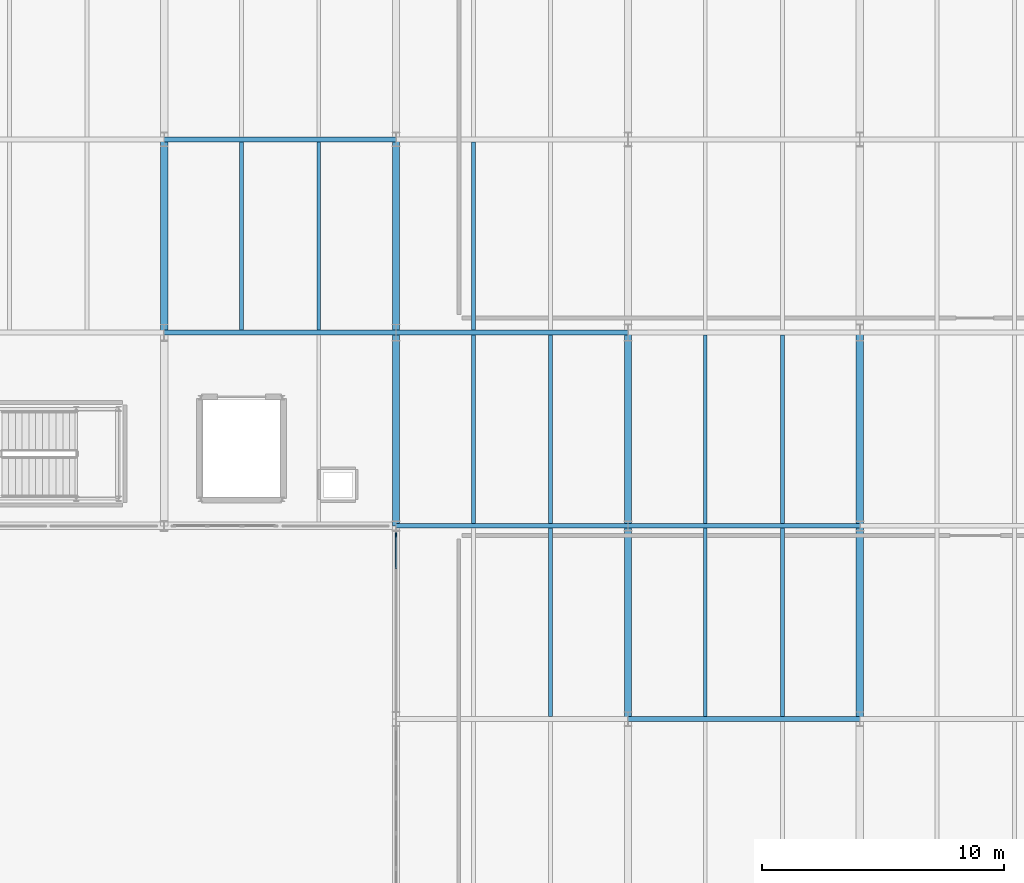
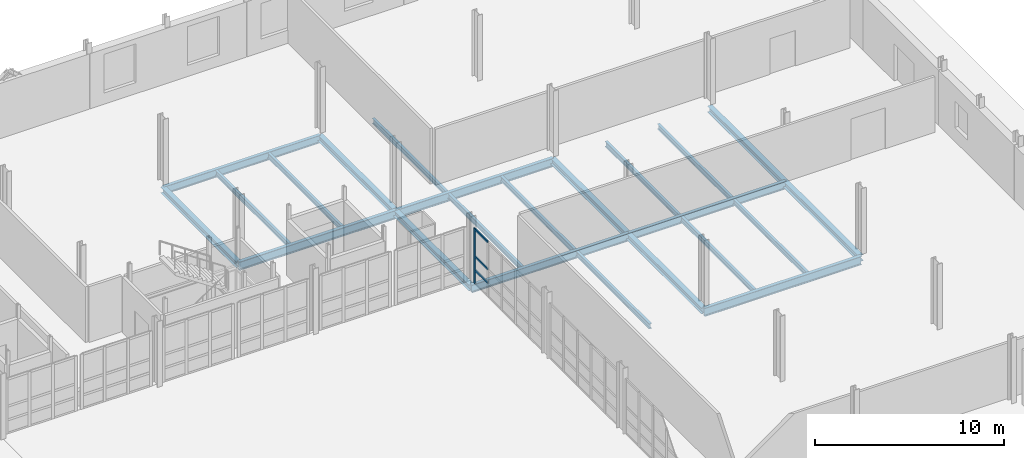
# One storey, part 46 of 78: 23 beams, 4 members, 1 element without a shape of its own.
"""IFC4 building model written with IfcOpenShell, lengths in metres."""

from ifc_helpers import new_model, si_unit, direction, frame, origin, origin_2d, place, context, subcontext, project, spatial, rectangle, i_section, extrude, material, layer, layer_set, material_profile, profile_set, type_object, element, aggregate, save


model = new_model("IFC4")

# Units and contexts
model_context = context("Model", 3, precision=1e-05, world=origin(), true_north=direction((0.0, 1.0)))
body_context = subcontext(model_context, "Body", "Model", "MODEL_VIEW")
ifc_project = project(units=[si_unit("LENGTHUNIT", "METRE"), si_unit("AREAUNIT", "SQUARE_METRE"), si_unit("VOLUMEUNIT", "CUBIC_METRE"), si_unit("PLANEANGLEUNIT", "RADIAN"), si_unit("MASSUNIT", "GRAM", prefix="KILO")], contexts=[model_context])

# Site, building, storey
site_placement = place(None, origin())
site = spatial("IfcSite", under=ifc_project, at=site_placement, CompositionType="ELEMENT")
building_placement = place(site_placement, origin())
building = spatial("IfcBuilding", under=site, at=building_placement, Name="Alderhovde Museum", CompositionType="ELEMENT")
storey_placement = place(building_placement, origin())
storey = spatial("IfcBuildingStorey", under=building, at=storey_placement, Name="L00", CompositionType="ELEMENT", Elevation=0.0)

# Beams
ifc_material_1 = material(Name="Steel S355J2", Category="steel")
ifc_material_profile_1 = material_profile(ifc_material_1, i_section(OverallWidth=0.300048828125, OverallDepth=0.389892578125, WebThickness=0.010986328125, FlangeThickness=0.01904296875, FilletRadius=0.027099609375, at=origin_2d()), Name="HEA 400")
ifc_profile_set_1 = profile_set([ifc_material_profile_1], Name="Steel S355J2")
beam_type_1 = type_object("IfcBeamType", Name="BM-HEA400", PredefinedType="BEAM", material=ifc_profile_set_1)
for number, where, z_axis, x_axis, name in (
    (1, (134.39990234375, 80.0, -0.47509765625), (0.0, 1.0, 0.0), (-1.0, 0.0, 0.0), "L00 Grid Beam X=134.4 (80.0 TO 88.0)"),
    (2, (144.0, 72.0, -0.47509765625), (0.0, 1.0, 0.0), (-1.0, 0.0, 0.0), "L00 Grid Beam X=144.0 (72.0 TO 80.0)"),
    (3, (144.0, 80.0, -0.47509765625), (0.0, 1.0, 0.0), (-1.0, 0.0, 0.0), "L00 Grid Beam X=144.0 (80.0 TO 88.0)"),
    (4, (153.60009765625, 64.0, -0.47509765625), (0.0, 1.0, 0.0), (-1.0, 0.0, 0.0), "L00 Grid Beam X=153.6 (64.0 TO 72.0)"),
    (5, (153.60009765625, 72.0, -0.47509765625), (0.0, 1.0, 0.0), (-1.0, 0.0, 0.0), "L00 Grid Beam X=153.6 (72.0 TO 80.0)"),
    (6, (163.199951171875, 64.0, -0.47509765625), (0.0, 1.0, 0.0), (-1.0, 0.0, 0.0), "L00 Grid Beam X=163.2 (64.0 TO 72.0)"),
    (7, (163.199951171875, 72.0, -0.47509765625), (0.0, 1.0, 0.0), (-1.0, 0.0, 0.0), "L00 Grid Beam X=163.2 (72.0 TO 80.0)"),
):
    element("IfcBeam", number, at=place(storey_placement, frame(where, z_axis=z_axis, x_axis=x_axis)), inside=storey, type_object=beam_type_1, Name=name, PredefinedType="BEAM", context=body_context, shape_type="SweptSolid", body=[
        extrude(i_section(OverallWidth=0.300048828125, OverallDepth=0.389892578125, WebThickness=0.010986328125, FlangeThickness=0.01904296875, FilletRadius=0.027099609375, at=origin_2d()), origin(), (0.0, 0.0, 1.0), 8.0),
    ])
ifc_material_2 = material(Name="Steel S355J2", Category="steel")
ifc_material_profile_2 = material_profile(ifc_material_2, i_section(OverallWidth=0.199951171875, OverallDepth=0.5, WebThickness=0.01025390625, FlangeThickness=0.01611328125, FilletRadius=0.02099609375, at=origin_2d()), Name="IPE 500")
ifc_profile_set_2 = profile_set([ifc_material_profile_2], Name="Steel S355J2")
beam_type_2 = type_object("IfcBeamType", Name="BM-IPE500", PredefinedType="BEAM", material=ifc_profile_set_2)
beam_1_placement = place(storey_placement, frame((144.0, 72.0, -0.530029296875), z_axis=(1.0, 0.0, 0.0), x_axis=(0.0, 1.0, 0.0)))
element("IfcBeam", 8, at=beam_1_placement, inside=storey, type_object=beam_type_2, Name="L00 Grid Beam Y=72.0 (144.0 TO 153.6)", PredefinedType="BEAM", context=body_context, shape_type="SweptSolid", body=[
    extrude(i_section(OverallWidth=0.199951171875, OverallDepth=0.5, WebThickness=0.01025390625, FlangeThickness=0.01611328125, FilletRadius=0.02099609375, at=origin_2d()), origin(), (0.0, 0.0, 1.0), 9.60009765625),
])
beam_2_placement = place(storey_placement, frame((153.60009765625, 72.0, -0.530029296875), z_axis=(1.0, 0.0, 0.0), x_axis=(0.0, 1.0, 0.0)))
element("IfcBeam", 9, at=beam_2_placement, inside=storey, type_object=beam_type_2, Name="L00 Grid Beam Y=72.0 (153.6 TO 163.2)", PredefinedType="BEAM", context=body_context, shape_type="SweptSolid", body=[
    extrude(i_section(OverallWidth=0.199951171875, OverallDepth=0.5, WebThickness=0.01025390625, FlangeThickness=0.01611328125, FilletRadius=0.02099609375, at=origin_2d()), origin(), (0.0, 0.0, 1.0), 9.599853515625),
])
beam_3_placement = place(storey_placement, frame((134.39990234375, 88.0, -0.530029296875), z_axis=(1.0, 0.0, 0.0), x_axis=(0.0, 1.0, 0.0)))
element("IfcBeam", 10, at=beam_3_placement, inside=storey, type_object=beam_type_2, Name="L00 Grid Beam Y=88.0 (134.4 TO 144.0)", PredefinedType="BEAM", context=body_context, shape_type="SweptSolid", body=[
    extrude(i_section(OverallWidth=0.199951171875, OverallDepth=0.5, WebThickness=0.01025390625, FlangeThickness=0.01611328125, FilletRadius=0.02099609375, at=origin_2d()), origin(), (0.0, 0.0, 1.0), 9.60009765625),
])
ifc_material_3 = material(Name="Steel S355J2", Category="steel")
ifc_material_profile_3 = material_profile(ifc_material_3, i_section(OverallWidth=0.2099609375, OverallDepth=0.550048828125, WebThickness=0.010986328125, FlangeThickness=0.01708984375, FilletRadius=0.02392578125, at=origin_2d()), Name="IPE 550")
ifc_profile_set_3 = profile_set([ifc_material_profile_3], Name="Steel S355J2")
beam_type_3 = type_object("IfcBeamType", Name="BM-IPE550", PredefinedType="BEAM", material=ifc_profile_set_3)
beam_4_placement = place(storey_placement, frame((153.60009765625, 64.0, -0.554931640625), z_axis=(1.0, 0.0, 0.0), x_axis=(0.0, 1.0, 0.0)))
element("IfcBeam", 11, at=beam_4_placement, inside=storey, type_object=beam_type_3, Name="L00 Grid Beam Y=64.0 (153.6 TO 163.2)", PredefinedType="BEAM", context=body_context, shape_type="SweptSolid", body=[
    extrude(i_section(OverallWidth=0.2099609375, OverallDepth=0.550048828125, WebThickness=0.010986328125, FlangeThickness=0.01708984375, FilletRadius=0.02392578125, at=origin_2d()), origin(), (0.0, 0.0, 1.0), 9.599853515625),
])
for number, where, z_axis, x_axis, name in (
    (12, (134.39990234375, 80.0, -0.554931640625), (1.0, 0.0, 0.0), (0.0, 1.0, 0.0), "L00 Grid Beam Y=80.0 (134.4 TO 144.0)"),
    (13, (144.0, 80.0, -0.554931640625), (1.0, 0.0, 0.0), (0.0, 1.0, 0.0), "L00 Grid Beam Y=80.0 (144.0 TO 153.6)"),
):
    element("IfcBeam", number, at=place(storey_placement, frame(where, z_axis=z_axis, x_axis=x_axis)), inside=storey, type_object=beam_type_3, Name=name, PredefinedType="BEAM", context=body_context, shape_type="SweptSolid", body=[
        extrude(i_section(OverallWidth=0.2099609375, OverallDepth=0.550048828125, WebThickness=0.010986328125, FlangeThickness=0.01708984375, FilletRadius=0.02392578125, at=origin_2d()), origin(), (0.0, 0.0, 1.0), 9.60009765625),
    ])

# Curtain wall, members
ifc_material_4 = material(Name="Triple-Glazed Bronze-Anodised Curtain Wall", Category="glass")
ifc_layer = layer(ifc_material_4, 0.179931640625)
ifc_layer_set = layer_set([ifc_layer], Name="Triple-Glazed Bronze-Anodised Curtain Wall")
curtain_wall_type = type_object("IfcCurtainWallType", Name="CW-STIC-730x356", PredefinedType="USERDEFINED", material=ifc_layer_set)
curtain_wall_placement = place(storey_placement, origin())
curtain_wall = element("IfcCurtainWall", 14, at=curtain_wall_placement, inside=storey, type_object=curtain_wall_type, Name="L00 Stick Curtain Wall 142", ObjectType="STICK CURTAIN WALL", PredefinedType="USERDEFINED")
ifc_material_5 = material(Name="Bronze-Anodised Aluminium EN AW-6063-T6", Category="aluminium")
ifc_material_profile_4 = material_profile(ifc_material_5, rectangle(XDim=0.06494140625, YDim=0.179931640625, at=origin_2d()), Name="MULLION 65x180")
ifc_profile_set_4 = profile_set([ifc_material_profile_4], Name="Bronze-Anodised Aluminium EN AW-6063-T6")
member_type_1 = type_object("IfcMemberType", Name="CWM-65x180", PredefinedType="MULLION", material=ifc_profile_set_4)
member_1_placement = place(storey_placement, frame((144.0, 71.617431640625, 0.0), z_axis=(0.0, 0.0, 1.0), x_axis=(-1.0, 0.0, 0.0)))
member_1 = element("IfcMember", 15, at=member_1_placement, type_object=member_type_1, Name="CW33 mullion 6", PredefinedType="MULLION", context=body_context, shape_type="SweptSolid", body=[
    extrude(rectangle(XDim=0.06494140625, YDim=0.179931640625, at=origin_2d()), origin(), (0.0, 0.0, 1.0), 3.56005859375),
])
ifc_material_6 = material(Name="Bronze-Anodised Aluminium EN AW-6063-T6", Category="aluminium")
ifc_material_profile_5 = material_profile(ifc_material_6, rectangle(XDim=0.06494140625, YDim=0.139892578125, at=origin_2d()), Name="TRANSOM 65x140")
ifc_profile_set_5 = profile_set([ifc_material_profile_5], Name="Bronze-Anodised Aluminium EN AW-6063-T6")
member_type_2 = type_object("IfcMemberType", Name="CWT-65x140", PredefinedType="USERDEFINED", material=ifc_profile_set_5)
member_2_placement = place(storey_placement, frame((144.0, 70.222412109375, 0.89990234375), z_axis=(0.0, 1.0, 0.0), x_axis=(-1.0, 0.0, 0.0)))
member_2 = element("IfcMember", 16, at=member_2_placement, type_object=member_type_2, Name="CW33 transom 5.2", ObjectType="TRANSOM", PredefinedType="USERDEFINED", context=body_context, shape_type="SweptSolid", body=[
    extrude(rectangle(XDim=0.06494140625, YDim=0.139892578125, at=origin_2d()), origin(), (0.0, 0.0, 1.0), 1.362548828125),
])
member_3_placement = place(storey_placement, frame((144.0, 70.222412109375, 1.780029296875), z_axis=(0.0, 1.0, 0.0), x_axis=(-1.0, 0.0, 0.0)))
member_3 = element("IfcMember", 17, at=member_3_placement, type_object=member_type_2, Name="CW33 transom 5.3", ObjectType="TRANSOM", PredefinedType="USERDEFINED", context=body_context, shape_type="SweptSolid", body=[
    extrude(rectangle(XDim=0.06494140625, YDim=0.139892578125, at=origin_2d()), origin(), (0.0, 0.0, 1.0), 1.362548828125),
])
member_4_placement = place(storey_placement, frame((144.0, 70.222412109375, 3.527587890625), z_axis=(0.0, 1.0, 0.0), x_axis=(-1.0, 0.0, 0.0)))
member_4 = element("IfcMember", 18, at=member_4_placement, type_object=member_type_2, Name="CW33 transom 5.4", ObjectType="TRANSOM", PredefinedType="USERDEFINED", context=body_context, shape_type="SweptSolid", body=[
    extrude(rectangle(XDim=0.06494140625, YDim=0.139892578125, at=origin_2d()), origin(), (0.0, 0.0, 1.0), 1.362548828125),
])
aggregate(curtain_wall, [member_1, member_2, member_3, member_4])

# Beams
ifc_material_7 = material(Name="Steel S355J2", Category="steel")
ifc_material_profile_6 = material_profile(ifc_material_7, i_section(OverallWidth=0.159912109375, OverallDepth=0.330078125, WebThickness=0.007568359375, FlangeThickness=0.011474609375, FilletRadius=0.01806640625, at=origin_2d()), Name="IPE 330")
ifc_profile_set_6 = profile_set([ifc_material_profile_6], Name="Steel S355J2")
beam_type_4 = type_object("IfcBeamType", Name="JST-IPE330", PredefinedType="JOIST", material=ifc_profile_set_6)
for number, where, z_axis, x_axis, name in (
    (19, (137.60009765625, 80.10498046875, -0.445068359375), (0.0, 1.0, 0.0), (-1.0, 0.0, 0.0), "L00 Composite Joist X=137.6 (80.0 TO 88.0)"),
    (20, (140.800048828125, 80.10498046875, -0.445068359375), (0.0, 1.0, 0.0), (-1.0, 0.0, 0.0), "L00 Composite Joist X=140.8 (80.0 TO 88.0)"),
    (21, (150.39990234375, 64.10498046875, -0.445068359375), (0.0, 1.0, 0.0), (-1.0, 0.0, 0.0), "L00 Composite Joist X=150.4 (64.0 TO 72.0)"),
    (22, (147.199951171875, 72.10009765625, -0.445068359375), (0.0, 1.0, 0.0), (-1.0, 0.0, 0.0), "L00 Composite Joist X=147.2 (72.0 TO 80.0)"),
    (23, (150.39990234375, 72.10009765625, -0.445068359375), (0.0, 1.0, 0.0), (-1.0, 0.0, 0.0), "L00 Composite Joist X=150.4 (72.0 TO 80.0)"),
    (24, (147.199951171875, 80.10498046875, -0.445068359375), (0.0, 1.0, 0.0), (-1.0, 0.0, 0.0), "L00 Composite Joist X=147.2 (80.0 TO 88.0)"),
    (25, (156.800048828125, 64.10498046875, -0.445068359375), (0.0, 1.0, 0.0), (-1.0, 0.0, 0.0), "L00 Composite Joist X=156.8 (64.0 TO 72.0)"),
    (26, (160.0, 64.10498046875, -0.445068359375), (0.0, 1.0, 0.0), (-1.0, 0.0, 0.0), "L00 Composite Joist X=160.0 (64.0 TO 72.0)"),
    (27, (156.800048828125, 72.10009765625, -0.445068359375), (0.0, 1.0, 0.0), (-1.0, 0.0, 0.0), "L00 Composite Joist X=156.8 (72.0 TO 80.0)"),
    (28, (160.0, 72.10009765625, -0.445068359375), (0.0, 1.0, 0.0), (-1.0, 0.0, 0.0), "L00 Composite Joist X=160.0 (72.0 TO 80.0)"),
):
    element("IfcBeam", number, at=place(storey_placement, frame(where, z_axis=z_axis, x_axis=x_axis)), inside=storey, type_object=beam_type_4, Name=name, PredefinedType="JOIST", context=body_context, shape_type="SweptSolid", body=[
        extrude(i_section(OverallWidth=0.159912109375, OverallDepth=0.330078125, WebThickness=0.007568359375, FlangeThickness=0.011474609375, FilletRadius=0.01806640625, at=origin_2d()), origin(), (0.0, 0.0, 1.0), 7.794921875),
    ])

save(model, "model.ifc")
